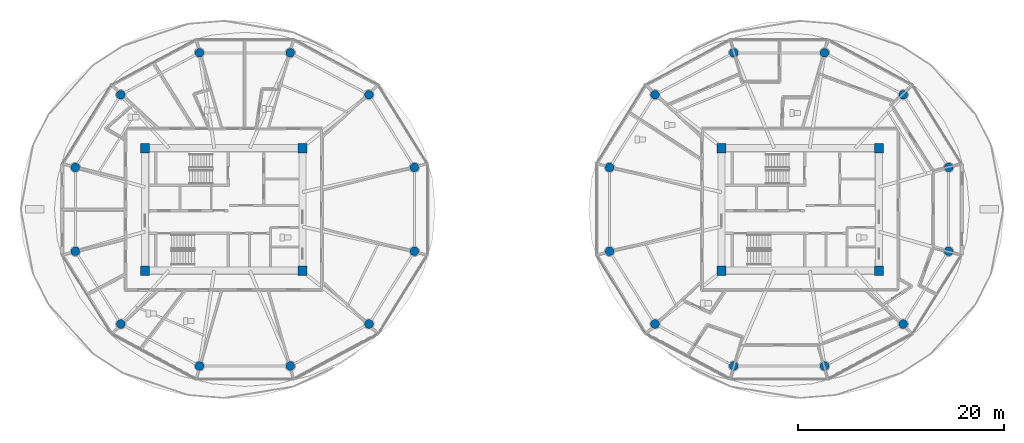
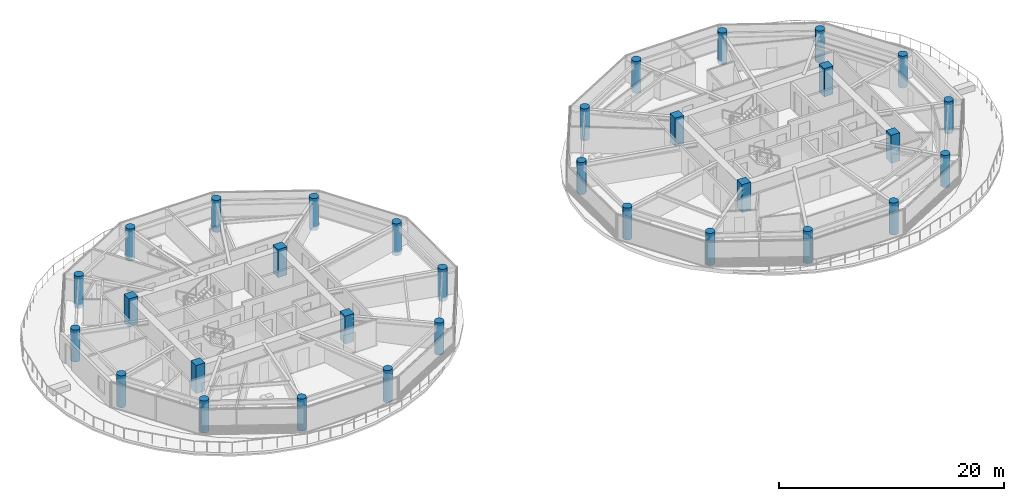
# One storey, part 1 of 32: 32 columns.
"""IFC4 building model written with IfcOpenShell, lengths in metres."""

from ifc_helpers import new_model, si_unit, direction, frame, origin, origin_2d, place, context, subcontext, project, spatial, rectangle, circle, extrude, source, transform, mapped, material, material_profile, profile_set, type_object, type_shapes, element, save


model = new_model("IFC4")

# Units and contexts
model_context = context("Model", 3, precision=1e-05, world=origin(), true_north=direction((0.0, 1.0)))
body_context = subcontext(model_context, "Body", "Model", "MODEL_VIEW")
ifc_project = project(units=[si_unit("LENGTHUNIT", "METRE"), si_unit("AREAUNIT", "SQUARE_METRE"), si_unit("VOLUMEUNIT", "CUBIC_METRE"), si_unit("PLANEANGLEUNIT", "RADIAN"), si_unit("MASSUNIT", "GRAM", prefix="KILO")], contexts=[model_context])

# Site, building, storey
site_placement = place(None, origin())
site = spatial("IfcSite", under=ifc_project, at=site_placement, CompositionType="ELEMENT")
building_placement = place(site_placement, origin())
building = spatial("IfcBuilding", under=site, at=building_placement, Name="Norrkilde Senior Care Towers", CompositionType="ELEMENT")
storey_placement = place(building_placement, frame((0.0, 0.0, 77.949951171875)))
storey = spatial("IfcBuildingStorey", under=building, at=storey_placement, Name="L23", CompositionType="ELEMENT", Elevation=77.949951171875)

# Columns
ifc_material = material(Name="Concrete C60/75", Category="concrete")
ifc_material_profile_1 = material_profile(ifc_material, rectangle(XDim=0.89990234375, YDim=0.89990234375, at=origin_2d()), Name="RC COL 900x900")
ifc_profile_set_1 = profile_set([ifc_material_profile_1], Name="Concrete C60/75")
column_type_1 = type_object("IfcColumnType", Name="Column Core Corner Z1-Z2 900", PredefinedType="COLUMN", material=ifc_profile_set_1)
shared_shape_1 = source(origin(), body_context, "Body", "SweptSolid", [
    extrude(rectangle(XDim=0.89990234375, YDim=0.89990234375, at=origin_2d()), origin(), (0.0, 0.0, 1.0), 3.050048828125),
])
type_shapes(column_type_1, [shared_shape_1])
for number, where, z_axis, x_axis, name in (
    (1, (-35.64990234375, -5.949951171875, 0.0), (0.0, 0.0, 1.0), (1.0, 0.0, 0.0), "L23 Core W Corner Column 1"),
    (2, (-20.35009765625, -5.949951171875, 0.0), (0.0, 0.0, 1.0), (1.0, 0.0, 0.0), "L23 Core W Corner Column 2"),
    (3, (-20.35009765625, 5.949951171875, 0.0), (0.0, 0.0, 1.0), (1.0, 0.0, 0.0), "L23 Core W Corner Column 3"),
    (4, (-35.64990234375, 5.949951171875, 0.0), (0.0, 0.0, 1.0), (1.0, 0.0, 0.0), "L23 Core W Corner Column 4"),
    (5, (20.35009765625, -5.949951171875, 0.0), (0.0, 0.0, 1.0), (1.0, 0.0, 0.0), "L23 Core E Corner Column 1"),
    (6, (35.64990234375, -5.949951171875, 0.0), (0.0, 0.0, 1.0), (1.0, 0.0, 0.0), "L23 Core E Corner Column 2"),
    (7, (35.64990234375, 5.949951171875, 0.0), (0.0, 0.0, 1.0), (1.0, 0.0, 0.0), "L23 Core E Corner Column 3"),
    (8, (20.35009765625, 5.949951171875, 0.0), (0.0, 0.0, 1.0), (1.0, 0.0, 0.0), "L23 Core E Corner Column 4"),
):
    element("IfcColumn", number, at=place(storey_placement, frame(where, z_axis=z_axis, x_axis=x_axis)), inside=storey, type_object=column_type_1, Name=name, PredefinedType="COLUMN", context=body_context, shape_type="MappedRepresentation", body=[
        mapped(shared_shape_1, transform((0.0, 0.0, 0.0), x_axis=(1.0, 0.0, 0.0), y_axis=(0.0, 1.0, 0.0), z_axis=(0.0, 0.0, 1.0), scale=1.0)),
    ])
ifc_material_profile_2 = material_profile(ifc_material, circle(Radius=0.425048828125, at=origin_2d()), Name="RC CIR 850")
ifc_profile_set_2 = profile_set([ifc_material_profile_2], Name="Concrete C60/75")
column_type_2 = type_object("IfcColumnType", Name="Column Perimeter Z2 850", PredefinedType="COLUMN", material=ifc_profile_set_2)
shared_shape_2 = source(origin(), body_context, "Body", "SweptSolid", [
    extrude(circle(Radius=0.425048828125, at=origin_2d()), origin(), (0.0, 0.0, 1.0), 3.469970703125),
])
type_shapes(column_type_2, [shared_shape_2])
for number, where, z_axis, x_axis, name in (
    (9, (-9.48095703125, 4.076416015625, -0.419921875), (0.0, 0.0, 1.0), (1.0, 0.0, 0.0), "L23 Drum W Perimeter Column 01"),
    (10, (-13.893798828125, 11.136962890625, -0.419921875), (0.0, 0.0, 1.0), (1.0, 0.0, 0.0), "L23 Drum W Perimeter Column 02"),
    (11, (-21.537109375, 15.21337890625, -0.419921875), (0.0, 0.0, 1.0), (1.0, 0.0, 0.0), "L23 Drum W Perimeter Column 03"),
    (12, (-30.36279296875, 15.21337890625, -0.419921875), (0.0, 0.0, 1.0), (1.0, 0.0, 0.0), "L23 Drum W Perimeter Column 04"),
    (13, (-38.006103515625, 11.136962890625, -0.419921875), (0.0, 0.0, 1.0), (1.0, 0.0, 0.0), "L23 Drum W Perimeter Column 05"),
    (14, (-42.4189453125, 4.076416015625, -0.419921875), (0.0, 0.0, 1.0), (1.0, 0.0, 0.0), "L23 Drum W Perimeter Column 06"),
    (15, (-42.4189453125, -4.076416015625, -0.419921875), (0.0, 0.0, 1.0), (1.0, 0.0, 0.0), "L23 Drum W Perimeter Column 07"),
    (16, (-38.006103515625, -11.136962890625, -0.419921875), (0.0, 0.0, 1.0), (1.0, 0.0, 0.0), "L23 Drum W Perimeter Column 08"),
    (17, (-30.36279296875, -15.21337890625, -0.419921875), (0.0, 0.0, 1.0), (1.0, 0.0, 0.0), "L23 Drum W Perimeter Column 09"),
    (18, (-21.537109375, -15.21337890625, -0.419921875), (0.0, 0.0, 1.0), (1.0, 0.0, 0.0), "L23 Drum W Perimeter Column 10"),
    (19, (-13.893798828125, -11.136962890625, -0.419921875), (0.0, 0.0, 1.0), (1.0, 0.0, 0.0), "L23 Drum W Perimeter Column 11"),
    (20, (-9.48095703125, -4.076416015625, -0.419921875), (0.0, 0.0, 1.0), (1.0, 0.0, 0.0), "L23 Drum W Perimeter Column 12"),
    (21, (42.4189453125, 4.076416015625, -0.419921875), (0.0, 0.0, 1.0), (1.0, 0.0, 0.0), "L23 Drum E Perimeter Column 01"),
    (22, (38.006103515625, 11.136962890625, -0.419921875), (0.0, 0.0, 1.0), (1.0, 0.0, 0.0), "L23 Drum E Perimeter Column 02"),
    (23, (30.36279296875, 15.21337890625, -0.419921875), (0.0, 0.0, 1.0), (1.0, 0.0, 0.0), "L23 Drum E Perimeter Column 03"),
    (24, (21.537109375, 15.21337890625, -0.419921875), (0.0, 0.0, 1.0), (1.0, 0.0, 0.0), "L23 Drum E Perimeter Column 04"),
    (25, (13.893798828125, 11.136962890625, -0.419921875), (0.0, 0.0, 1.0), (1.0, 0.0, 0.0), "L23 Drum E Perimeter Column 05"),
    (26, (9.48095703125, 4.076416015625, -0.419921875), (0.0, 0.0, 1.0), (1.0, 0.0, 0.0), "L23 Drum E Perimeter Column 06"),
    (27, (9.48095703125, -4.076416015625, -0.419921875), (0.0, 0.0, 1.0), (1.0, 0.0, 0.0), "L23 Drum E Perimeter Column 07"),
    (28, (13.893798828125, -11.136962890625, -0.419921875), (0.0, 0.0, 1.0), (1.0, 0.0, 0.0), "L23 Drum E Perimeter Column 08"),
    (29, (21.537109375, -15.21337890625, -0.419921875), (0.0, 0.0, 1.0), (1.0, 0.0, 0.0), "L23 Drum E Perimeter Column 09"),
    (30, (30.36279296875, -15.21337890625, -0.419921875), (0.0, 0.0, 1.0), (1.0, 0.0, 0.0), "L23 Drum E Perimeter Column 10"),
    (31, (38.006103515625, -11.136962890625, -0.419921875), (0.0, 0.0, 1.0), (1.0, 0.0, 0.0), "L23 Drum E Perimeter Column 11"),
    (32, (42.4189453125, -4.076416015625, -0.419921875), (0.0, 0.0, 1.0), (1.0, 0.0, 0.0), "L23 Drum E Perimeter Column 12"),
):
    element("IfcColumn", number, at=place(storey_placement, frame(where, z_axis=z_axis, x_axis=x_axis)), inside=storey, type_object=column_type_2, Name=name, PredefinedType="COLUMN", context=body_context, shape_type="MappedRepresentation", body=[
        mapped(shared_shape_2, transform((0.0, 0.0, 0.0), x_axis=(1.0, 0.0, 0.0), y_axis=(0.0, 1.0, 0.0), z_axis=(0.0, 0.0, 1.0), scale=1.0)),
    ])

save(model, "model.ifc")
